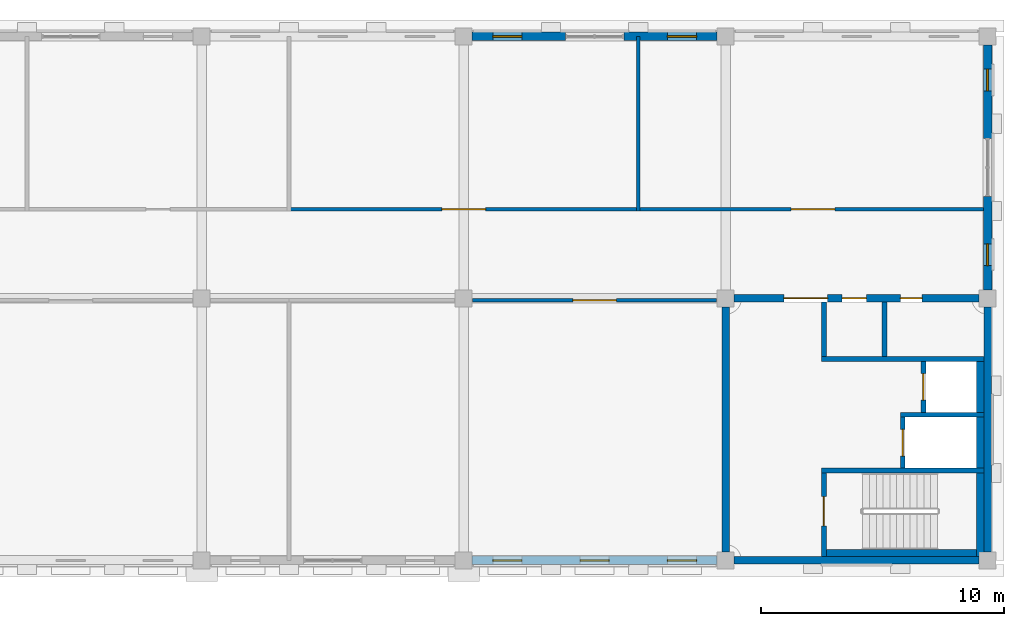
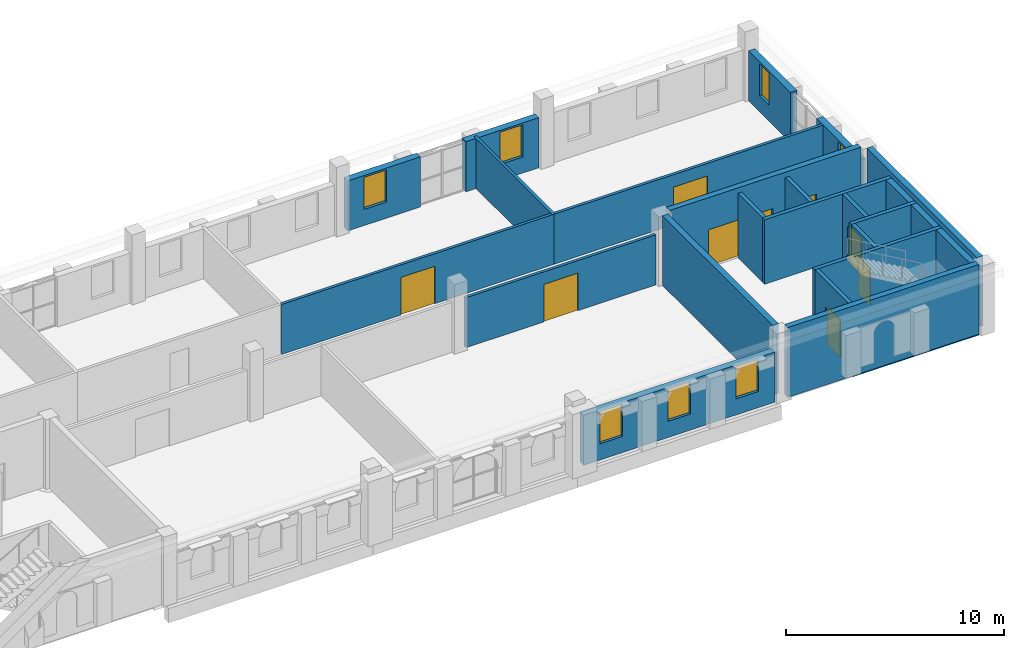
# One storey, part 9 of 17: 25 walls, 9 doors, 7 windows, 16 openings.
"""IFC4 building model written with IfcOpenShell, lengths in metres."""

from ifc_helpers import new_model, si_unit, direction, frame, frame_2d, origin, place, context, subcontext, project, spatial, rectangle, extrude, material, layer, layer_set, type_object, element, fill, save


model = new_model("IFC4")

# Units and contexts
model_context = context("Model", 3, precision=1e-05, world=origin(), true_north=direction((0.0, 1.0)))
body_context = subcontext(model_context, "Body", "Model", "MODEL_VIEW")
ifc_project = project(units=[si_unit("LENGTHUNIT", "METRE"), si_unit("AREAUNIT", "SQUARE_METRE"), si_unit("VOLUMEUNIT", "CUBIC_METRE"), si_unit("PLANEANGLEUNIT", "RADIAN"), si_unit("MASSUNIT", "GRAM", prefix="KILO")], contexts=[model_context])

# Site, building, storey
site_placement = place(None, origin())
site = spatial("IfcSite", under=ifc_project, at=site_placement, CompositionType="ELEMENT")
building_placement = place(site_placement, origin())
building = spatial("IfcBuilding", under=site, at=building_placement, Name="Magnolia Steps Interchange", CompositionType="ELEMENT")
storey_placement = place(building_placement, frame((0.0, 0.0, 20.39990234375)))
storey = spatial("IfcBuildingStorey", under=building, at=storey_placement, Name="L05", CompositionType="ELEMENT", Elevation=20.39990234375)

# Walls
ifc_material_1 = material(Name="Concrete C35", Category="concrete")
ifc_layer_1 = layer(ifc_material_1, 0.199951171875)
ifc_layer_set_1 = layer_set([ifc_layer_1], Name="Core enclosure wall 200")
wall_type_1 = type_object("IfcWallType", Name="Core enclosure wall 200", PredefinedType="SOLIDWALL", material=ifc_layer_set_1)
wall_1_placement = place(storey_placement, frame((111.25, 107.050048828125, 0.0), z_axis=(0.0, 0.0, 1.0), x_axis=(0.0, -1.0, 0.0)))
element("IfcWall", 1, at=wall_1_placement, inside=storey, type_object=wall_type_1, Name="L05 OC-E enclosure wall", PredefinedType="SOLIDWALL", context=body_context, shape_type="SweptSolid", body=[
    extrude(rectangle(XDim=2.25, YDim=0.199951171875, at=frame_2d((1.125, 0.0))), origin(), (0.0, 0.0, 1.0), 3.60009765625),
])
wall_2_placement = place(storey_placement, frame((111.14990234375, 104.699951171875, 0.0), z_axis=(0.0, 0.0, 1.0), x_axis=(1.0, 0.0, 0.0)))
element("IfcWall", 2, at=wall_2_placement, inside=storey, type_object=wall_type_1, Name="L05 OC-E enclosure wall", PredefinedType="SOLIDWALL", context=body_context, shape_type="SweptSolid", body=[
    extrude(rectangle(XDim=6.7001953125, YDim=0.199951171875, at=frame_2d((3.35009765625, 0.0))), origin(), (0.0, 0.0, 1.0), 3.60009765625),
])

# Wall, opening, door
wall_3_placement = place(storey_placement, frame((115.35009765625, 104.60009765625, 0.0), z_axis=(0.0, 0.0, 1.0), x_axis=(0.0, -1.0, 0.0)))
wall_3 = element("IfcWall", 3, at=wall_3_placement, inside=storey, type_object=wall_type_1, Name="L05 OC-E enclosure wall", PredefinedType="SOLIDWALL", context=body_context, shape_type="SweptSolid", body=[
    extrude(rectangle(XDim=2.10009765625, YDim=0.199951171875, at=frame_2d((1.050048828125, 0.0))), origin(), (0.0, 0.0, 1.0), 3.60009765625),
])
opening_1_placement = place(wall_3_placement, frame((0.5, 0.0, 0.0)))
opening_1 = element("IfcOpeningElement", 4, at=opening_1_placement, cuts=wall_3, Name="Opening LD", PredefinedType="OPENING", context=body_context, shape_type="SweptSolid", body=[
    extrude(rectangle(XDim=1.10009765625, YDim=2.10009765625, at=frame_2d((0.550048828125, 1.050048828125))), frame((0.0, 0.10986328125, 0.0), z_axis=(0.0, -1.0, 0.0), x_axis=(1.0, 0.0, 0.0)), (0.0, 0.0, 1.0), 0.219970703125),
])
ifc_material_2 = material(Name="Stainless steel grade 304", Category="steel")
door_type_1 = type_object("IfcDoorType", Name="Lift landing door 1100x2100", OperationType="DOUBLE_DOOR_SLIDING", PredefinedType="DOOR", material=ifc_material_2)
door_1_placement = place(opening_1_placement, frame((1.10009765625, 0.0, 0.0), z_axis=(0.0, 0.0, 1.0), x_axis=(-1.0, 0.0, 0.0)))
door_1 = element("IfcDoor", 5, at=door_1_placement, inside=storey, type_object=door_type_1, Name="Lift landing door LF17 L05", OperationType="DOUBLE_DOOR_SLIDING", OverallHeight=2.10009765625, OverallWidth=1.10009765625, PredefinedType="DOOR", context=body_context, shape_type="SweptSolid", body=[
    extrude(rectangle(XDim=1.10009765625, YDim=2.10009765625, at=frame_2d((0.550048828125, 1.050048828125))), frame((0.0, 0.02490234375, 0.0), z_axis=(0.0, -1.0, 0.0), x_axis=(1.0, 0.0, 0.0)), (0.0, 0.0, 1.0), 0.050048828125),
])
fill(opening_1, door_1)

# Wall
wall_4_placement = place(storey_placement, frame((114.39990234375, 102.39990234375, 0.0), z_axis=(0.0, 0.0, 1.0), x_axis=(1.0, 0.0, 0.0)))
element("IfcWall", 6, at=wall_4_placement, inside=storey, type_object=wall_type_1, Name="L05 OC-E enclosure wall", PredefinedType="SOLIDWALL", context=body_context, shape_type="SweptSolid", body=[
    extrude(rectangle(XDim=3.4501953125, YDim=0.199951171875, at=frame_2d((1.72509765625, 0.0))), origin(), (0.0, 0.0, 1.0), 3.60009765625),
])

# Wall, opening, door
wall_5_placement = place(storey_placement, frame((114.5, 102.300048828125, 0.0), z_axis=(0.0, 0.0, 1.0), x_axis=(0.0, -1.0, 0.0)))
wall_5 = element("IfcWall", 7, at=wall_5_placement, inside=storey, type_object=wall_type_1, Name="L05 OC-E enclosure wall", PredefinedType="SOLIDWALL", context=body_context, shape_type="SweptSolid", body=[
    extrude(rectangle(XDim=2.10009765625, YDim=0.199951171875, at=frame_2d((1.050048828125, 0.0))), origin(), (0.0, 0.0, 1.0), 3.60009765625),
])
opening_2_placement = place(wall_5_placement, frame((0.5, 0.0, 0.0)))
opening_2 = element("IfcOpeningElement", 8, at=opening_2_placement, cuts=wall_5, Name="Opening LD", PredefinedType="OPENING", context=body_context, shape_type="SweptSolid", body=[
    extrude(rectangle(XDim=1.10009765625, YDim=2.10009765625, at=frame_2d((0.550048828125, 1.050048828125))), frame((0.0, 0.10986328125, 0.0), z_axis=(0.0, -1.0, 0.0), x_axis=(1.0, 0.0, 0.0)), (0.0, 0.0, 1.0), 0.219970703125),
])
door_2_placement = place(opening_2_placement, frame((1.10009765625, 0.0, 0.0), z_axis=(0.0, 0.0, 1.0), x_axis=(-1.0, 0.0, 0.0)))
door_2 = element("IfcDoor", 9, at=door_2_placement, inside=storey, type_object=door_type_1, Name="Lift landing door LF18 L05", OperationType="DOUBLE_DOOR_SLIDING", OverallHeight=2.10009765625, OverallWidth=1.10009765625, PredefinedType="DOOR", context=body_context, shape_type="SweptSolid", body=[
    extrude(rectangle(XDim=1.10009765625, YDim=2.10009765625, at=frame_2d((0.550048828125, 1.050048828125))), frame((0.0, 0.02490234375, 0.0), z_axis=(0.0, -1.0, 0.0), x_axis=(1.0, 0.0, 0.0)), (0.0, 0.0, 1.0), 0.050048828125),
])
fill(opening_2, door_2)

# Wall
wall_6_placement = place(storey_placement, frame((111.14990234375, 100.10009765625, 0.0), z_axis=(0.0, 0.0, 1.0), x_axis=(1.0, 0.0, 0.0)))
element("IfcWall", 10, at=wall_6_placement, inside=storey, type_object=wall_type_1, Name="L05 OC-E enclosure wall", PredefinedType="SOLIDWALL", context=body_context, shape_type="SweptSolid", body=[
    extrude(rectangle(XDim=6.7001953125, YDim=0.199951171875, at=frame_2d((3.35009765625, 0.0))), origin(), (0.0, 0.0, 1.0), 3.60009765625),
])

# Wall, opening, door
wall_7_placement = place(storey_placement, frame((111.25, 100.0, 0.0), z_axis=(0.0, 0.0, 1.0), x_axis=(0.0, -1.0, 0.0)))
wall_7 = element("IfcWall", 11, at=wall_7_placement, inside=storey, type_object=wall_type_1, Name="L05 OC-E enclosure wall", PredefinedType="SOLIDWALL", context=body_context, shape_type="SweptSolid", body=[
    extrude(rectangle(XDim=3.449951171875, YDim=0.199951171875, at=frame_2d((1.72509765625, 0.0))), origin(), (0.0, 0.0, 1.0), 3.60009765625),
])
opening_3_placement = place(wall_7_placement, frame((0.97509765625, 0.0, 0.0)))
opening_3 = element("IfcOpeningElement", 12, at=opening_3_placement, cuts=wall_7, Name="Opening D-OC-E-L05-1", PredefinedType="OPENING", context=body_context, shape_type="SweptSolid", body=[
    extrude(rectangle(XDim=1.199951171875, YDim=2.10009765625, at=frame_2d((0.60009765625, 1.050048828125))), frame((0.0, 0.10986328125, 0.0), z_axis=(0.0, -1.0, 0.0), x_axis=(1.0, 0.0, 0.0)), (0.0, 0.0, 1.0), 0.219970703125),
])
ifc_material_3 = material(Name="Painted steel", Category="steel")
door_type_2 = type_object("IfcDoorType", Name="Stair fire door 1200x2100", OperationType="NOTDEFINED", PredefinedType="DOOR", material=ifc_material_3)
door_3_placement = place(opening_3_placement, frame((1.199951171875, 0.0, 0.0), z_axis=(0.0, 0.0, 1.0), x_axis=(-1.0, 0.0, 0.0)))
door_3 = element("IfcDoor", 13, at=door_3_placement, inside=storey, type_object=door_type_2, Name="Stair door ST29 L05", OperationType="SINGLE_SWING_RIGHT", OverallHeight=2.10009765625, OverallWidth=1.199951171875, PredefinedType="DOOR", context=body_context, shape_type="SweptSolid", body=[
    extrude(rectangle(XDim=1.199951171875, YDim=2.10009765625, at=frame_2d((0.60009765625, 1.050048828125))), frame((0.0, 0.02490234375, 0.0), z_axis=(0.0, -1.0, 0.0), x_axis=(1.0, 0.0, 0.0)), (0.0, 0.0, 1.0), 0.050048828125),
])
fill(opening_3, door_3)

# Walls
ifc_material_4 = material(Name="Concrete C35", Category="concrete")
ifc_layer_2 = layer(ifc_material_4, 0.300048828125)
ifc_layer_set_2 = layer_set([ifc_layer_2], Name="Core lining wall 300")
wall_type_2 = type_object("IfcWallType", Name="Core lining wall 300", PredefinedType="SOLIDWALL", material=ifc_layer_set_2)
wall_8_placement = place(storey_placement, frame((111.14990234375, 96.699951171875, -0.2998046875), z_axis=(0.0, 0.0, 1.0), x_axis=(1.0, 0.0, 0.0)))
element("IfcWall", 14, at=wall_8_placement, inside=storey, type_object=wall_type_2, Name="L05 OC-E stair lining wall", PredefinedType="SOLIDWALL", context=body_context, shape_type="SweptSolid", body=[
    extrude(rectangle(XDim=6.7001953125, YDim=0.300048828125, at=frame_2d((3.35009765625, 0.0))), origin(), (0.0, 0.0, 1.0), 3.89990234375),
])
wall_9_placement = place(storey_placement, frame((117.699951171875, 100.0, -0.2998046875), z_axis=(0.0, 0.0, 1.0), x_axis=(0.0, -1.0, 0.0)))
element("IfcWall", 15, at=wall_9_placement, inside=storey, type_object=wall_type_2, Name="L05 OC-E stair lining wall", PredefinedType="SOLIDWALL", context=body_context, shape_type="SweptSolid", body=[
    extrude(rectangle(XDim=3.449951171875, YDim=0.300048828125, at=frame_2d((1.72509765625, 0.0))), origin(), (0.0, 0.0, 1.0), 3.89990234375),
])
for number, where, z_axis, x_axis, name in (
    (16, (117.699951171875, 104.60009765625, -0.2998046875), (0.0, 0.0, 1.0), (0.0, -1.0, 0.0), "L05 OC-E stair lining wall"),
    (17, (117.699951171875, 102.300048828125, -0.2998046875), (0.0, 0.0, 1.0), (0.0, -1.0, 0.0), "L05 OC-E stair lining wall"),
):
    element("IfcWall", number, at=place(storey_placement, frame(where, z_axis=z_axis, x_axis=x_axis)), inside=storey, type_object=wall_type_2, Name=name, PredefinedType="SOLIDWALL", context=body_context, shape_type="SweptSolid", body=[
        extrude(rectangle(XDim=2.10009765625, YDim=0.300048828125, at=frame_2d((1.050048828125, 0.0))), origin(), (0.0, 0.0, 1.0), 3.89990234375),
    ])
ifc_material_5 = material(Name="Fair-faced blockwork", Category="masonry")
ifc_layer_3 = layer(ifc_material_5, 0.199951171875)
ifc_layer_set_3 = layer_set([ifc_layer_3], Name="Core partition 200")
wall_type_3 = type_object("IfcWallType", Name="Core partition 200", PredefinedType="PARTITIONING", material=ifc_layer_set_3)
wall_10_placement = place(storey_placement, frame((113.75, 107.050048828125, 0.0), z_axis=(0.0, 0.0, 1.0), x_axis=(0.0, -1.0, 0.0)))
element("IfcWall", 18, at=wall_10_placement, inside=storey, type_object=wall_type_3, Name="L05 OC-E toilet partition", PredefinedType="PARTITIONING", context=body_context, shape_type="SweptSolid", body=[
    extrude(rectangle(XDim=2.25, YDim=0.199951171875, at=frame_2d((1.125, 0.0))), origin(), (0.0, 0.0, 1.0), 3.60009765625),
])
ifc_material_6 = material(Name="Concrete C40", Category="concrete")
ifc_layer_4 = layer(ifc_material_6, 0.300048828125)
ifc_layer_set_4 = layer_set([ifc_layer_4], Name="Core wall 300")
wall_type_4 = type_object("IfcWallType", Name="Core wall 300", PredefinedType="SOLIDWALL", material=ifc_layer_set_4)
wall_11_placement = place(storey_placement, frame((107.550048828125, 96.39990234375, 0.0), z_axis=(0.0, 0.0, 1.0), x_axis=(1.0, 0.0, 0.0)))
element("IfcWall", 19, at=wall_11_placement, inside=storey, type_object=wall_type_4, Name="Core wall OC-E", PredefinedType="SOLIDWALL", context=body_context, shape_type="SweptSolid", body=[
    extrude(rectangle(XDim=10.099853515625, YDim=0.300048828125, at=frame_2d((5.0498046875, 0.0))), origin(), (0.0, 0.0, 1.0), 3.900146484375),
])
wall_12_placement = place(storey_placement, frame((118.0, 96.75, 0.0), z_axis=(0.0, 0.0, 1.0), x_axis=(0.0, 1.0, 0.0)))
element("IfcWall", 20, at=wall_12_placement, inside=storey, type_object=wall_type_4, Name="Core wall OC-E", PredefinedType="SOLIDWALL", context=body_context, shape_type="SweptSolid", body=[
    extrude(rectangle(XDim=10.10009765625, YDim=0.300048828125, at=frame_2d((5.050048828125, 0.0))), origin(), (0.0, 0.0, 1.0), 3.900146484375),
])

# Wall, openings, doors
wall_13_placement = place(storey_placement, frame((117.64990234375, 107.199951171875, 0.0), z_axis=(0.0, 0.0, 1.0), x_axis=(-1.0, 0.0, 0.0)))
wall_13 = element("IfcWall", 21, at=wall_13_placement, inside=storey, type_object=wall_type_4, Name="Core wall OC-E", PredefinedType="SOLIDWALL", context=body_context, shape_type="SweptSolid", body=[
    extrude(rectangle(XDim=10.099853515625, YDim=0.300048828125, at=frame_2d((5.0498046875, 0.0))), origin(), (0.0, 0.0, 1.0), 3.900146484375),
])
opening_4_placement = place(wall_13_placement, frame((6.25, 0.0, 0.0)))
opening_4 = element("IfcOpeningElement", 22, at=opening_4_placement, cuts=wall_13, Name="Opening D-OC-E-L05-2", PredefinedType="OPENING", context=body_context, shape_type="SweptSolid", body=[
    extrude(rectangle(XDim=1.800048828125, YDim=2.10009765625, at=frame_2d((0.89990234375, 1.050048828125))), frame((0.0, 0.159912109375, 0.0), z_axis=(0.0, -1.0, 0.0), x_axis=(1.0, 0.0, 0.0)), (0.0, 0.0, 1.0), 0.320068359375),
])
opening_5_placement = place(wall_13_placement, frame((4.64990234375, 0.0, 0.0)))
opening_5 = element("IfcOpeningElement", 23, at=opening_5_placement, cuts=wall_13, Name="Opening D-OC-E-L05-3", PredefinedType="OPENING", context=body_context, shape_type="SweptSolid", body=[
    extrude(rectangle(XDim=1.0, YDim=2.10009765625, at=frame_2d((0.5, 1.050048828125))), frame((0.0, 0.159912109375, 0.0), z_axis=(0.0, -1.0, 0.0), x_axis=(1.0, 0.0, 0.0)), (0.0, 0.0, 1.0), 0.320068359375),
])
opening_6_placement = place(wall_13_placement, frame((2.35009765625, 0.0, 0.0)))
opening_6 = element("IfcOpeningElement", 24, at=opening_6_placement, cuts=wall_13, Name="Opening D-OC-E-L05-4", PredefinedType="OPENING", context=body_context, shape_type="SweptSolid", body=[
    extrude(rectangle(XDim=0.89990234375, YDim=2.10009765625, at=frame_2d((0.449951171875, 1.050048828125))), frame((0.0, 0.159912109375, 0.0), z_axis=(0.0, -1.0, 0.0), x_axis=(1.0, 0.0, 0.0)), (0.0, 0.0, 1.0), 0.320068359375),
])
ifc_material_7 = material(Name="Timber", Category="wood")
door_type_3 = type_object("IfcDoorType", Name="Accessible toilet door 1000x2100", OperationType="NOTDEFINED", PredefinedType="DOOR", material=ifc_material_7)
door_4_placement = place(opening_5_placement, origin())
door_4 = element("IfcDoor", 25, at=door_4_placement, inside=storey, type_object=door_type_3, Name="Accessible Toilet door OC-E L05", OperationType="SINGLE_SWING_RIGHT", OverallHeight=2.10009765625, OverallWidth=1.0, PredefinedType="DOOR", context=body_context, shape_type="SweptSolid", body=[
    extrude(rectangle(XDim=1.0, YDim=2.10009765625, at=frame_2d((0.5, 1.050048828125))), frame((0.0, 0.02490234375, 0.0), z_axis=(0.0, -1.0, 0.0), x_axis=(1.0, 0.0, 0.0)), (0.0, 0.0, 1.0), 0.050048828125),
])
fill(opening_5, door_4)
ifc_material_8 = material(Name="Timber and glass", Category="wood")
door_type_4 = type_object("IfcDoorType", Name="Core entrance door pair 1800x2100", OperationType="DOUBLE_DOOR_DOUBLE_SWING", PredefinedType="DOOR", material=ifc_material_8)
door_5_placement = place(opening_4_placement, frame((1.800048828125, 0.0, 0.0), z_axis=(0.0, 0.0, 1.0), x_axis=(-1.0, 0.0, 0.0)))
door_5 = element("IfcDoor", 26, at=door_5_placement, inside=storey, type_object=door_type_4, Name="Core entrance door OC-E L05", OperationType="DOUBLE_DOOR_DOUBLE_SWING", OverallHeight=2.10009765625, OverallWidth=1.800048828125, PredefinedType="DOOR", context=body_context, shape_type="SweptSolid", body=[
    extrude(rectangle(XDim=1.800048828125, YDim=2.10009765625, at=frame_2d((0.89990234375, 1.050048828125))), frame((0.0, 0.02490234375, 0.0), z_axis=(0.0, -1.0, 0.0), x_axis=(1.0, 0.0, 0.0)), (0.0, 0.0, 1.0), 0.050048828125),
])
fill(opening_4, door_5)
ifc_material_9 = material(Name="Timber", Category="wood")
door_type_5 = type_object("IfcDoorType", Name="Toilet door 900x2100", OperationType="NOTDEFINED", PredefinedType="DOOR", material=ifc_material_9)
door_6_placement = place(opening_6_placement, origin())
door_6 = element("IfcDoor", 27, at=door_6_placement, inside=storey, type_object=door_type_5, Name="Public Toilets door OC-E L05", OperationType="SINGLE_SWING_LEFT", OverallHeight=2.10009765625, OverallWidth=0.89990234375, PredefinedType="DOOR", context=body_context, shape_type="SweptSolid", body=[
    extrude(rectangle(XDim=0.89990234375, YDim=2.10009765625, at=frame_2d((0.449951171875, 1.050048828125))), frame((0.0, 0.02490234375, 0.0), z_axis=(0.0, -1.0, 0.0), x_axis=(1.0, 0.0, 0.0)), (0.0, 0.0, 1.0), 0.050048828125),
])
fill(opening_6, door_6)

# Wall
wall_14_placement = place(storey_placement, frame((107.199951171875, 106.85009765625, 0.0), z_axis=(0.0, 0.0, 1.0), x_axis=(0.0, -1.0, 0.0)))
element("IfcWall", 28, at=wall_14_placement, inside=storey, type_object=wall_type_4, Name="Core wall OC-E", PredefinedType="SOLIDWALL", context=body_context, shape_type="SweptSolid", body=[
    extrude(rectangle(XDim=10.10009765625, YDim=0.300048828125, at=frame_2d((5.050048828125, 0.0))), origin(), (0.0, 0.0, 1.0), 3.900146484375),
])

# Wall, openings, windows
ifc_material_10 = material(Name="Lime render on masonry", Category="masonry")
ifc_layer_5 = layer(ifc_material_10, 0.35009765625)
ifc_layer_set_5 = layer_set([ifc_layer_5], Name="Lime render wall 350")
wall_type_5 = type_object("IfcWallType", Name="Lime render wall 350", PredefinedType="SOLIDWALL", material=ifc_layer_set_5)
wall_15_placement = place(storey_placement, frame((96.75, 96.39990234375, 0.0), z_axis=(0.0, 0.0, 1.0), x_axis=(1.0, 0.0, 0.0)))
wall_15 = element("IfcWall", 29, at=wall_15_placement, inside=storey, type_object=wall_type_5, Name="Operations building south wall L05 pier 3", PredefinedType="SOLIDWALL", context=body_context, shape_type="SweptSolid", body=[
    extrude(rectangle(XDim=10.10009765625, YDim=0.35009765625, at=frame_2d((5.050048828125, 0.0))), origin(), (0.0, 0.0, 1.0), 2.800048828125),
])
opening_7_placement = place(wall_15_placement, frame((0.85009765625, 0.0, 0.89990234375)))
opening_7 = element("IfcOpeningElement", 30, at=opening_7_placement, cuts=wall_15, Name="Opening WN9", PredefinedType="OPENING", context=body_context, shape_type="SweptSolid", body=[
    extrude(rectangle(XDim=1.199951171875, YDim=1.800048828125, at=frame_2d((0.60009765625, 0.89990234375))), frame((0.0, 0.18505859375, 0.0), z_axis=(0.0, -1.0, 0.0), x_axis=(1.0, 0.0, 0.0)), (0.0, 0.0, 1.0), 0.3701171875),
])
opening_8_placement = place(wall_15_placement, frame((4.449951171875, 0.0, 0.89990234375)))
opening_8 = element("IfcOpeningElement", 31, at=opening_8_placement, cuts=wall_15, Name="Opening WN9", PredefinedType="OPENING", context=body_context, shape_type="SweptSolid", body=[
    extrude(rectangle(XDim=1.199951171875, YDim=1.800048828125, at=frame_2d((0.60009765625, 0.89990234375))), frame((0.0, 0.18505859375, 0.0), z_axis=(0.0, -1.0, 0.0), x_axis=(1.0, 0.0, 0.0)), (0.0, 0.0, 1.0), 0.3701171875),
])
opening_9_placement = place(wall_15_placement, frame((8.050048828125, 0.0, 0.89990234375)))
opening_9 = element("IfcOpeningElement", 32, at=opening_9_placement, cuts=wall_15, Name="Opening WN9", PredefinedType="OPENING", context=body_context, shape_type="SweptSolid", body=[
    extrude(rectangle(XDim=1.199951171875, YDim=1.800048828125, at=frame_2d((0.60009765625, 0.89990234375))), frame((0.0, 0.18505859375, 0.0), z_axis=(0.0, -1.0, 0.0), x_axis=(1.0, 0.0, 0.0)), (0.0, 0.0, 1.0), 0.3701171875),
])
ifc_material_11 = material(Name="Timber frame with double glazing", Category="wood")
window_type_1 = type_object("IfcWindowType", Name="Casement window 1200 x 1800", PartitioningType="DOUBLE_PANEL_VERTICAL", PredefinedType="WINDOW", material=ifc_material_11)
window_1_placement = place(opening_7_placement, origin())
window_1 = element("IfcWindow", 33, at=window_1_placement, inside=storey, type_object=window_type_1, Name="Window L05 south 7", OverallHeight=1.800048828125, OverallWidth=1.199951171875, PartitioningType="SINGLE_PANEL", PredefinedType="WINDOW", context=body_context, shape_type="SweptSolid", body=[
    extrude(rectangle(XDim=1.199951171875, YDim=1.800048828125, at=frame_2d((0.60009765625, 0.89990234375))), frame((0.0, 0.030029296875, 0.0), z_axis=(0.0, -1.0, 0.0), x_axis=(1.0, 0.0, 0.0)), (0.0, 0.0, 1.0), 0.06005859375),
])
fill(opening_7, window_1)
window_2_placement = place(opening_8_placement, origin())
window_2 = element("IfcWindow", 34, at=window_2_placement, inside=storey, type_object=window_type_1, Name="Window L05 south 8", OverallHeight=1.800048828125, OverallWidth=1.199951171875, PartitioningType="SINGLE_PANEL", PredefinedType="WINDOW", context=body_context, shape_type="SweptSolid", body=[
    extrude(rectangle(XDim=1.199951171875, YDim=1.800048828125, at=frame_2d((0.60009765625, 0.89990234375))), frame((0.0, 0.030029296875, 0.0), z_axis=(0.0, -1.0, 0.0), x_axis=(1.0, 0.0, 0.0)), (0.0, 0.0, 1.0), 0.06005859375),
])
fill(opening_8, window_2)
window_3_placement = place(opening_9_placement, origin())
window_3 = element("IfcWindow", 35, at=window_3_placement, inside=storey, type_object=window_type_1, Name="Window L05 south 9", OverallHeight=1.800048828125, OverallWidth=1.199951171875, PartitioningType="SINGLE_PANEL", PredefinedType="WINDOW", context=body_context, shape_type="SweptSolid", body=[
    extrude(rectangle(XDim=1.199951171875, YDim=1.800048828125, at=frame_2d((0.60009765625, 0.89990234375))), frame((0.0, 0.030029296875, 0.0), z_axis=(0.0, -1.0, 0.0), x_axis=(1.0, 0.0, 0.0)), (0.0, 0.0, 1.0), 0.06005859375),
])
fill(opening_9, window_3)

# Wall, opening, window
wall_16_placement = place(storey_placement, frame((96.75, 118.0, 0.0), z_axis=(0.0, 0.0, 1.0), x_axis=(1.0, 0.0, 0.0)))
wall_16 = element("IfcWall", 36, at=wall_16_placement, inside=storey, type_object=wall_type_5, Name="Operations building north wall L05 pier 3", PredefinedType="SOLIDWALL", context=body_context, shape_type="SweptSolid", body=[
    extrude(rectangle(XDim=3.85009765625, YDim=0.35009765625, at=frame_2d((1.925048828125, 0.0))), origin(), (0.0, 0.0, 1.0), 2.800048828125),
])
opening_10_placement = place(wall_16_placement, frame((0.85009765625, 0.0, 0.89990234375)))
opening_10 = element("IfcOpeningElement", 37, at=opening_10_placement, cuts=wall_16, Name="Opening WN9", PredefinedType="OPENING", context=body_context, shape_type="SweptSolid", body=[
    extrude(rectangle(XDim=1.199951171875, YDim=1.800048828125, at=frame_2d((0.60009765625, 0.89990234375))), frame((0.0, 0.18505859375, 0.0), z_axis=(0.0, -1.0, 0.0), x_axis=(1.0, 0.0, 0.0)), (0.0, 0.0, 1.0), 0.3701171875),
])
window_4_placement = place(opening_10_placement, origin())
window_4 = element("IfcWindow", 38, at=window_4_placement, inside=storey, type_object=window_type_1, Name="Window L05 north 10", OverallHeight=1.800048828125, OverallWidth=1.199951171875, PartitioningType="SINGLE_PANEL", PredefinedType="WINDOW", context=body_context, shape_type="SweptSolid", body=[
    extrude(rectangle(XDim=1.199951171875, YDim=1.800048828125, at=frame_2d((0.60009765625, 0.89990234375))), frame((0.0, 0.030029296875, 0.0), z_axis=(0.0, -1.0, 0.0), x_axis=(1.0, 0.0, 0.0)), (0.0, 0.0, 1.0), 0.06005859375),
])
fill(opening_10, window_4)

wall_17_placement = place(storey_placement, frame((103.0, 118.0, 0.0), z_axis=(0.0, 0.0, 1.0), x_axis=(1.0, 0.0, 0.0)))
wall_17 = element("IfcWall", 39, at=wall_17_placement, inside=storey, type_object=wall_type_5, Name="Operations building north wall L05 pier 5", PredefinedType="SOLIDWALL", context=body_context, shape_type="SweptSolid", body=[
    extrude(rectangle(XDim=3.85009765625, YDim=0.35009765625, at=frame_2d((1.925048828125, 0.0))), origin(), (0.0, 0.0, 1.0), 2.800048828125),
])
opening_11_placement = place(wall_17_placement, frame((1.800048828125, 0.0, 0.89990234375)))
opening_11 = element("IfcOpeningElement", 40, at=opening_11_placement, cuts=wall_17, Name="Opening WN9", PredefinedType="OPENING", context=body_context, shape_type="SweptSolid", body=[
    extrude(rectangle(XDim=1.199951171875, YDim=1.800048828125, at=frame_2d((0.60009765625, 0.89990234375))), frame((0.0, 0.18505859375, 0.0), z_axis=(0.0, -1.0, 0.0), x_axis=(1.0, 0.0, 0.0)), (0.0, 0.0, 1.0), 0.3701171875),
])
window_5_placement = place(opening_11_placement, origin())
window_5 = element("IfcWindow", 41, at=window_5_placement, inside=storey, type_object=window_type_1, Name="Window L05 north 12", OverallHeight=1.800048828125, OverallWidth=1.199951171875, PartitioningType="SINGLE_PANEL", PredefinedType="WINDOW", context=body_context, shape_type="SweptSolid", body=[
    extrude(rectangle(XDim=1.199951171875, YDim=1.800048828125, at=frame_2d((0.60009765625, 0.89990234375))), frame((0.0, 0.030029296875, 0.0), z_axis=(0.0, -1.0, 0.0), x_axis=(1.0, 0.0, 0.0)), (0.0, 0.0, 1.0), 0.06005859375),
])
fill(opening_11, window_5)

wall_18_placement = place(storey_placement, frame((118.0, 107.550048828125, 0.0), z_axis=(0.0, 0.0, 1.0), x_axis=(0.0, 1.0, 0.0)))
wall_18 = element("IfcWall", 42, at=wall_18_placement, inside=storey, type_object=wall_type_5, Name="Operations building east wall L05 pier 1", PredefinedType="SOLIDWALL", context=body_context, shape_type="SweptSolid", body=[
    extrude(rectangle(XDim=3.849853515625, YDim=0.35009765625, at=frame_2d((1.9248046875, 0.0))), origin(), (0.0, 0.0, 1.0), 2.800048828125),
])
opening_12_placement = place(wall_18_placement, frame((1.0, 0.0, 0.89990234375)))
opening_12 = element("IfcOpeningElement", 43, at=opening_12_placement, cuts=wall_18, Name="Opening WN11", PredefinedType="OPENING", context=body_context, shape_type="SweptSolid", body=[
    extrude(rectangle(XDim=0.89990234375, YDim=1.800048828125, at=frame_2d((0.449951171875, 0.89990234375))), frame((0.0, 0.18505859375, 0.0), z_axis=(0.0, -1.0, 0.0), x_axis=(1.0, 0.0, 0.0)), (0.0, 0.0, 1.0), 0.3701171875),
])
ifc_material_12 = material(Name="Timber frame with double glazing", Category="wood")
window_type_2 = type_object("IfcWindowType", Name="Gable end window 900 x 1800", PartitioningType="SINGLE_PANEL", PredefinedType="WINDOW", material=ifc_material_12)
window_6_placement = place(opening_12_placement, origin())
window_6 = element("IfcWindow", 44, at=window_6_placement, inside=storey, type_object=window_type_2, Name="Window L05 east 1", OverallHeight=1.800048828125, OverallWidth=0.89990234375, PartitioningType="SINGLE_PANEL", PredefinedType="WINDOW", context=body_context, shape_type="SweptSolid", body=[
    extrude(rectangle(XDim=0.89990234375, YDim=1.800048828125, at=frame_2d((0.449951171875, 0.89990234375))), frame((0.0, 0.030029296875, 0.0), z_axis=(0.0, -1.0, 0.0), x_axis=(1.0, 0.0, 0.0)), (0.0, 0.0, 1.0), 0.06005859375),
])
fill(opening_12, window_6)

wall_19_placement = place(storey_placement, frame((118.0, 113.800048828125, 0.0), z_axis=(0.0, 0.0, 1.0), x_axis=(0.0, 1.0, 0.0)))
wall_19 = element("IfcWall", 45, at=wall_19_placement, inside=storey, type_object=wall_type_5, Name="Operations building east wall L05 pier 3", PredefinedType="SOLIDWALL", context=body_context, shape_type="SweptSolid", body=[
    extrude(rectangle(XDim=3.849853515625, YDim=0.35009765625, at=frame_2d((1.9248046875, 0.0))), origin(), (0.0, 0.0, 1.0), 2.800048828125),
])
opening_13_placement = place(wall_19_placement, frame((1.949951171875, 0.0, 0.89990234375)))
opening_13 = element("IfcOpeningElement", 46, at=opening_13_placement, cuts=wall_19, Name="Opening WN11", PredefinedType="OPENING", context=body_context, shape_type="SweptSolid", body=[
    extrude(rectangle(XDim=0.89990234375, YDim=1.800048828125, at=frame_2d((0.449951171875, 0.89990234375))), frame((0.0, 0.18505859375, 0.0), z_axis=(0.0, -1.0, 0.0), x_axis=(1.0, 0.0, 0.0)), (0.0, 0.0, 1.0), 0.3701171875),
])
window_7_placement = place(opening_13_placement, origin())
window_7 = element("IfcWindow", 47, at=window_7_placement, inside=storey, type_object=window_type_2, Name="Window L05 east 3", OverallHeight=1.800048828125, OverallWidth=0.89990234375, PartitioningType="SINGLE_PANEL", PredefinedType="WINDOW", context=body_context, shape_type="SweptSolid", body=[
    extrude(rectangle(XDim=0.89990234375, YDim=1.800048828125, at=frame_2d((0.449951171875, 0.89990234375))), frame((0.0, 0.030029296875, 0.0), z_axis=(0.0, -1.0, 0.0), x_axis=(1.0, 0.0, 0.0)), (0.0, 0.0, 1.0), 0.06005859375),
])
fill(opening_13, window_7)

# Wall, opening, door
ifc_material_13 = material(Name="Fair-faced blockwork", Category="masonry")
ifc_layer_6 = layer(ifc_material_13, 0.14990234375)
ifc_layer_set_6 = layer_set([ifc_layer_6], Name="Partition wall 150")
wall_type_6 = type_object("IfcWallType", Name="Partition wall 150", PredefinedType="PARTITIONING", material=ifc_layer_set_6)
wall_20_placement = place(storey_placement, frame((96.77001953125, 107.125, 0.0), z_axis=(0.0, 0.0, 1.0), x_axis=(1.0, 0.0, 0.0)))
wall_20 = element("IfcWall", 48, at=wall_20_placement, inside=storey, type_object=wall_type_6, Name="L05 partition 3", PredefinedType="PARTITIONING", context=body_context, shape_type="SweptSolid", body=[
    extrude(rectangle(XDim=10.06005859375, YDim=0.14990234375, at=frame_2d((5.030029296875, 0.0))), origin(), (0.0, 0.0, 1.0), 2.800048828125),
])
opening_14_placement = place(wall_20_placement, frame((4.1298828125, 0.0, 0.0)))
opening_14 = element("IfcOpeningElement", 49, at=opening_14_placement, cuts=wall_20, Name="Opening D-L05-2", PredefinedType="OPENING", context=body_context, shape_type="SweptSolid", body=[
    extrude(rectangle(XDim=1.800048828125, YDim=2.10009765625, at=frame_2d((0.89990234375, 1.050048828125))), frame((0.0, 0.0849609375, 0.0), z_axis=(0.0, -1.0, 0.0), x_axis=(1.0, 0.0, 0.0)), (0.0, 0.0, 1.0), 0.169921875),
])
ifc_material_14 = material(Name="Timber", Category="wood")
door_type_6 = type_object("IfcDoorType", Name="Room door pair 1800x2100", OperationType="DOUBLE_DOOR_DOUBLE_SWING", PredefinedType="DOOR", material=ifc_material_14)
door_7_placement = place(opening_14_placement, origin())
door_7 = element("IfcDoor", 50, at=door_7_placement, inside=storey, type_object=door_type_6, Name="Training Room 4 door", OperationType="DOUBLE_DOOR_DOUBLE_SWING", OverallHeight=2.10009765625, OverallWidth=1.800048828125, PredefinedType="DOOR", context=body_context, shape_type="SweptSolid", body=[
    extrude(rectangle(XDim=1.800048828125, YDim=2.10009765625, at=frame_2d((0.89990234375, 1.050048828125))), frame((0.0, 0.02490234375, 0.0), z_axis=(0.0, -1.0, 0.0), x_axis=(1.0, 0.0, 0.0)), (0.0, 0.0, 1.0), 0.050048828125),
])
fill(opening_14, door_7)

wall_21_placement = place(storey_placement, frame((89.199951171875, 110.875, 0.0), z_axis=(0.0, 0.0, 1.0), x_axis=(1.0, 0.0, 0.0)))
wall_21 = element("IfcWall", 51, at=wall_21_placement, inside=storey, type_object=wall_type_6, Name="L05 partition 7", PredefinedType="PARTITIONING", context=body_context, shape_type="SweptSolid", body=[
    extrude(rectangle(XDim=14.400146484375, YDim=0.14990234375, at=frame_2d((7.2001953125, 0.0))), origin(), (0.0, 0.0, 1.0), 2.800048828125),
])
opening_15_placement = place(wall_21_placement, frame((6.300048828125, 0.0, 0.0)))
opening_15 = element("IfcOpeningElement", 52, at=opening_15_placement, cuts=wall_21, Name="Opening D-L05-5", PredefinedType="OPENING", context=body_context, shape_type="SweptSolid", body=[
    extrude(rectangle(XDim=1.800048828125, YDim=2.10009765625, at=frame_2d((0.89990234375, 1.050048828125))), frame((0.0, 0.0849609375, 0.0), z_axis=(0.0, -1.0, 0.0), x_axis=(1.0, 0.0, 0.0)), (0.0, 0.0, 1.0), 0.169921875),
])
door_8_placement = place(opening_15_placement, frame((1.800048828125, 0.0, 0.0), z_axis=(0.0, 0.0, 1.0), x_axis=(-1.0, 0.0, 0.0)))
door_8 = element("IfcDoor", 53, at=door_8_placement, inside=storey, type_object=door_type_6, Name="Training Resource Room door", OperationType="DOUBLE_DOOR_DOUBLE_SWING", OverallHeight=2.10009765625, OverallWidth=1.800048828125, PredefinedType="DOOR", context=body_context, shape_type="SweptSolid", body=[
    extrude(rectangle(XDim=1.800048828125, YDim=2.10009765625, at=frame_2d((0.89990234375, 1.050048828125))), frame((0.0, 0.02490234375, 0.0), z_axis=(0.0, -1.0, 0.0), x_axis=(1.0, 0.0, 0.0)), (0.0, 0.0, 1.0), 0.050048828125),
])
fill(opening_15, door_8)

wall_22_placement = place(storey_placement, frame((103.60009765625, 110.875, 0.0), z_axis=(0.0, 0.0, 1.0), x_axis=(1.0, 0.0, 0.0)))
wall_22 = element("IfcWall", 54, at=wall_22_placement, inside=storey, type_object=wall_type_6, Name="L05 partition 8", PredefinedType="PARTITIONING", context=body_context, shape_type="SweptSolid", body=[
    extrude(rectangle(XDim=14.39990234375, YDim=0.14990234375, at=frame_2d((7.199951171875, 0.0))), origin(), (0.0, 0.0, 1.0), 2.800048828125),
])
opening_16_placement = place(wall_22_placement, frame((6.300048828125, 0.0, 0.0)))
opening_16 = element("IfcOpeningElement", 55, at=opening_16_placement, cuts=wall_22, Name="Opening D-L05-6", PredefinedType="OPENING", context=body_context, shape_type="SweptSolid", body=[
    extrude(rectangle(XDim=1.800048828125, YDim=2.10009765625, at=frame_2d((0.89990234375, 1.050048828125))), frame((0.0, 0.0849609375, 0.0), z_axis=(0.0, -1.0, 0.0), x_axis=(1.0, 0.0, 0.0)), (0.0, 0.0, 1.0), 0.169921875),
])
door_9_placement = place(opening_16_placement, origin())
door_9 = element("IfcDoor", 56, at=door_9_placement, inside=storey, type_object=door_type_6, Name="Staff Rest Room door", OperationType="DOUBLE_DOOR_DOUBLE_SWING", OverallHeight=2.10009765625, OverallWidth=1.800048828125, PredefinedType="DOOR", context=body_context, shape_type="SweptSolid", body=[
    extrude(rectangle(XDim=1.800048828125, YDim=2.10009765625, at=frame_2d((0.89990234375, 1.050048828125))), frame((0.0, 0.02490234375, 0.0), z_axis=(0.0, -1.0, 0.0), x_axis=(1.0, 0.0, 0.0)), (0.0, 0.0, 1.0), 0.050048828125),
])
fill(opening_16, door_9)

# Wall
wall_23_placement = place(storey_placement, frame((103.60009765625, 110.800048828125, 0.0), z_axis=(0.0, 0.0, 1.0), x_axis=(0.0, 1.0, 0.0)))
element("IfcWall", 57, at=wall_23_placement, inside=storey, type_object=wall_type_6, Name="L05 partition 12", PredefinedType="PARTITIONING", context=body_context, shape_type="SweptSolid", body=[
    extrude(rectangle(XDim=7.199951171875, YDim=0.14990234375, at=frame_2d((3.60009765625, 0.0))), origin(), (0.0, 0.0, 1.0), 2.800048828125),
])

save(model, "model.ifc")
